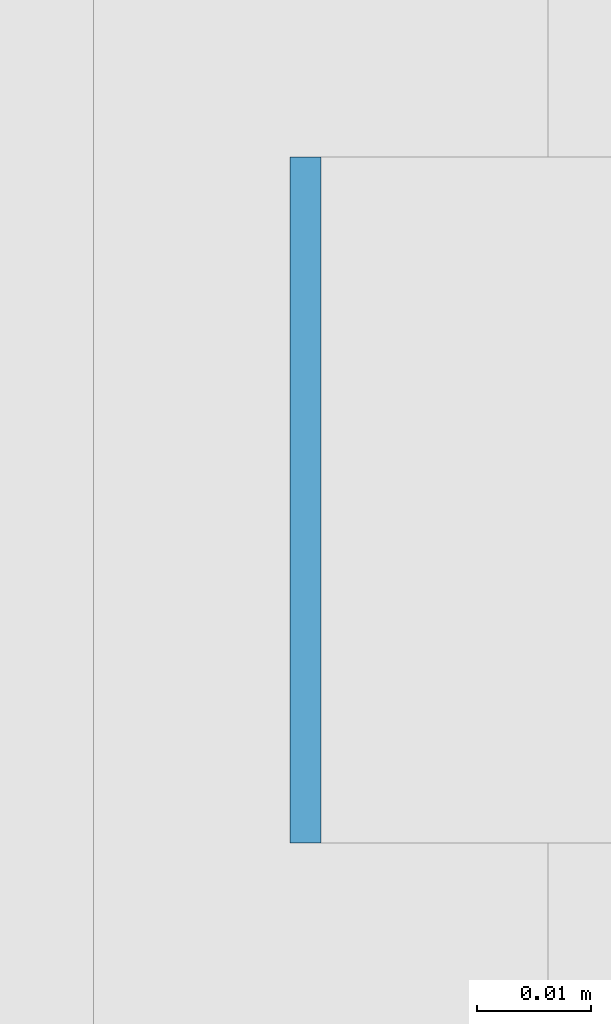
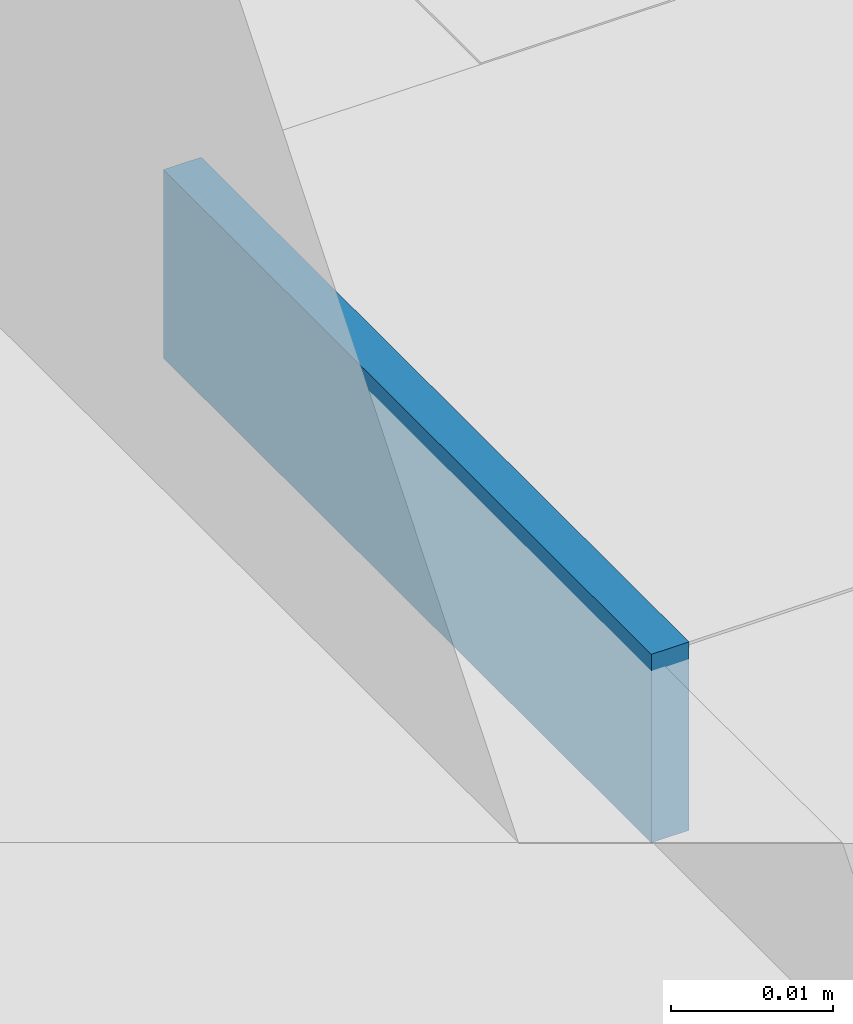
# One storey, part 559 of 646: 1 discrete accessory.
"""IFC4 building model written with IfcOpenShell, lengths in metres."""

from ifc_helpers import new_model, si_unit, direction, frame, origin, origin_2d, place, context, subcontext, project, spatial, rectangle, extrude, material, type_object, element, save


model = new_model("IFC4")

# Units and contexts
model_context = context("Model", 3, precision=1e-05, world=origin(), true_north=direction((0.0, 1.0)))
body_context = subcontext(model_context, "Body", "Model", "MODEL_VIEW")
ifc_project = project(units=[si_unit("LENGTHUNIT", "METRE"), si_unit("AREAUNIT", "SQUARE_METRE"), si_unit("VOLUMEUNIT", "CUBIC_METRE"), si_unit("PLANEANGLEUNIT", "RADIAN"), si_unit("MASSUNIT", "GRAM", prefix="KILO")], contexts=[model_context])

# Site, building, storey
site_placement = place(None, origin())
site = spatial("IfcSite", under=ifc_project, at=site_placement, CompositionType="ELEMENT")
building_placement = place(site_placement, origin())
building = spatial("IfcBuilding", under=site, at=building_placement, Name="Silverbay Arena", CompositionType="ELEMENT")
storey_placement = place(building_placement, frame((0.0, 0.0, 33.5)))
storey = spatial("IfcBuildingStorey", under=building, at=storey_placement, Name="L05", CompositionType="ELEMENT", Elevation=33.5)

# Discrete accessory
ifc_material = material(Name="Steel S355", Category="steel")
discrete_accessory_type = type_object("IfcDiscreteAccessoryType", Name="Steel bracket plate", PredefinedType="BRACKET", material=ifc_material)
discrete_accessory_placement = place(storey_placement, frame((207.128662109375, 100.28564453125, 12.98583984375), z_axis=(0.0, 0.0, 1.0), x_axis=(1.0, 0.0, 0.0)))
element("IfcDiscreteAccessory", 1, at=discrete_accessory_placement, inside=storey, type_object=discrete_accessory_type, Name="Curtain wall packing plate", PredefinedType="BRACKET", context=body_context, shape_type="SweptSolid", body=[
    extrude(rectangle(XDim=0.002685546875, YDim=0.06005859375, at=origin_2d()), origin(), (0.0, 0.0, 1.0), 0.01416015625),
])

save(model, "model.ifc")
